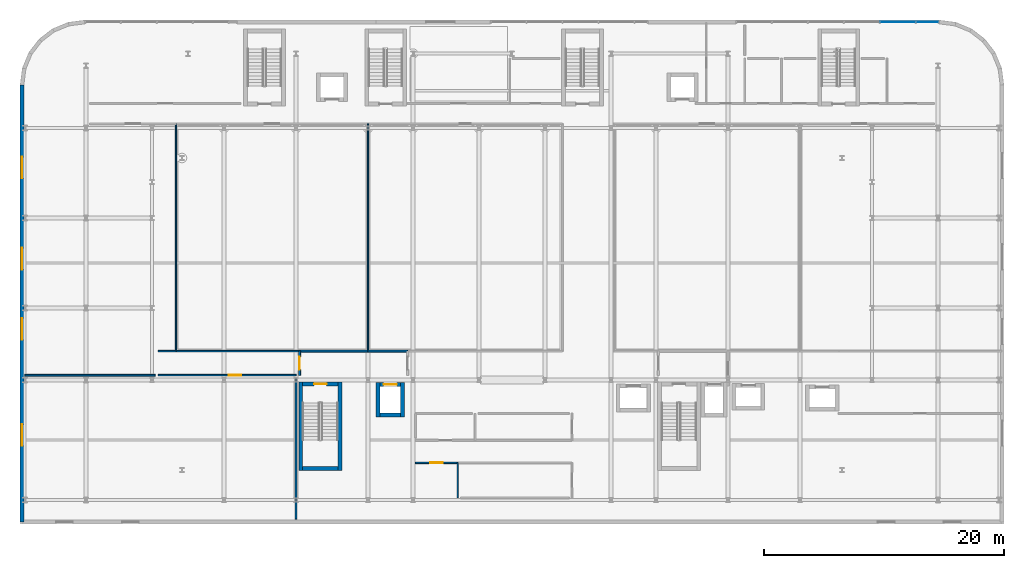
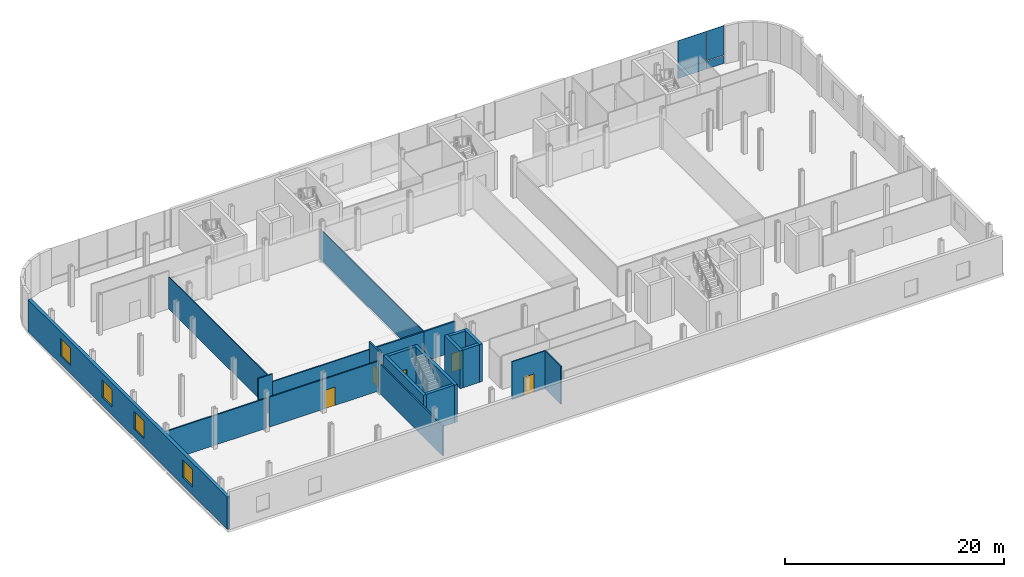
# One storey, part 16 of 25: 21 walls, 5 doors, 4 plates, 4 windows, 9 openings, 1 element without a shape of its own.
"""IFC4 building model written with IfcOpenShell, lengths in metres."""

from ifc_helpers import new_model, si_unit, direction, frame, frame_2d, origin, origin_2d, place, context, subcontext, project, spatial, rectangle, extrude, material, layer, layer_set, type_object, element, fill, aggregate, save


model = new_model("IFC4")

# Units and contexts
model_context = context("Model", 3, precision=1e-05, world=origin(), true_north=direction((0.0, 1.0)))
body_context = subcontext(model_context, "Body", "Model", "MODEL_VIEW")
ifc_project = project(units=[si_unit("LENGTHUNIT", "METRE"), si_unit("AREAUNIT", "SQUARE_METRE"), si_unit("VOLUMEUNIT", "CUBIC_METRE"), si_unit("PLANEANGLEUNIT", "RADIAN"), si_unit("MASSUNIT", "GRAM", prefix="KILO")], contexts=[model_context])

# Site, building, storey
site_placement = place(None, origin())
site = spatial("IfcSite", under=ifc_project, at=site_placement, CompositionType="ELEMENT")
building_placement = place(site_placement, origin())
building = spatial("IfcBuilding", under=site, at=building_placement, Name="Brevholm Reach", CompositionType="ELEMENT")
storey_placement = place(building_placement, frame((0.0, 0.0, 13.5)))
storey = spatial("IfcBuildingStorey", under=building, at=storey_placement, Name="L03", CompositionType="ELEMENT", Elevation=13.5)

# Curtain wall, plates
ifc_material_1 = material(Name="Dark Anodised Aluminium 6063-T6 and Solar-Control Glass", Category="aluminium")
ifc_layer_1 = layer(ifc_material_1, 0.1650390625)
ifc_layer_set_1 = layer_set([ifc_layer_1], Name="Dark Anodised Aluminium 6063-T6 and Solar-Control Glass")
curtain_wall_type = type_object("IfcCurtainWallType", Name="CW-03", PredefinedType="NOTDEFINED", material=ifc_layer_set_1)
curtain_wall_placement = place(storey_placement, origin())
curtain_wall = element("IfcCurtainWall", 1, at=curtain_wall_placement, inside=storey, type_object=curtain_wall_type, Name="L03 Curtain Wall CW-03", PredefinedType="NOTDEFINED")
ifc_material_2 = material(Name="Triple-Glazed Acoustic School IGU Glass", Category="glass")
ifc_layer_2 = layer(ifc_material_2, 0.0439453125)
ifc_layer_set_2 = layer_set([ifc_layer_2], Name="Triple-Glazed Acoustic School IGU Glass")
plate_type = type_object("IfcPlateType", Name="CWP-ACU-44", PredefinedType="CURTAIN_PANEL", material=ifc_layer_set_2)
plate_1_placement = place(storey_placement, frame((62.14990234375, 39.830078125, 0.0), z_axis=(0.0, 0.0, 1.0), x_axis=(1.0, 0.0, 0.0)))
plate_1 = element("IfcPlate", 2, at=plate_1_placement, type_object=plate_type, Name="CP-03 Glazing Panel 5.1", PredefinedType="CURTAIN_PANEL", context=body_context, shape_type="SweptSolid", body=[
    extrude(rectangle(XDim=2.929931640625, YDim=0.0439453125, at=origin_2d()), origin(), (0.0, 0.0, 1.0), 0.864990234375),
])
plate_2_placement = place(storey_placement, frame((62.14990234375, 39.830078125, 0.93505859375), z_axis=(0.0, 0.0, 1.0), x_axis=(1.0, 0.0, 0.0)))
plate_2 = element("IfcPlate", 3, at=plate_2_placement, type_object=plate_type, Name="CP-03 Glazing Panel 5.2", PredefinedType="CURTAIN_PANEL", context=body_context, shape_type="SweptSolid", body=[
    extrude(rectangle(XDim=2.929931640625, YDim=0.0439453125, at=origin_2d()), origin(), (0.0, 0.0, 1.0), 3.284912109375),
])
plate_3_placement = place(storey_placement, frame((64.607421875, 39.830078125, 0.0), z_axis=(0.0, 0.0, 1.0), x_axis=(1.0, 0.0, 0.0)))
plate_3 = element("IfcPlate", 4, at=plate_3_placement, type_object=plate_type, Name="CP-03 Glazing Panel 6.1", PredefinedType="CURTAIN_PANEL", context=body_context, shape_type="SweptSolid", body=[
    extrude(rectangle(XDim=1.844970703125, YDim=0.0439453125, at=origin_2d()), origin(), (0.0, 0.0, 1.0), 0.864990234375),
])
plate_4_placement = place(storey_placement, frame((64.607421875, 39.830078125, 0.93505859375), z_axis=(0.0, 0.0, 1.0), x_axis=(1.0, 0.0, 0.0)))
plate_4 = element("IfcPlate", 5, at=plate_4_placement, type_object=plate_type, Name="CP-03 Glazing Panel 6.2", PredefinedType="CURTAIN_PANEL", context=body_context, shape_type="SweptSolid", body=[
    extrude(rectangle(XDim=1.844970703125, YDim=0.0439453125, at=origin_2d()), origin(), (0.0, 0.0, 1.0), 3.284912109375),
])
aggregate(curtain_wall, [plate_1, plate_2, plate_3, plate_4])

# Walls
ifc_material_3 = material(Name="Concrete C60/75", Category="concrete")
ifc_layer_3 = layer(ifc_material_3, 0.320068359375)
ifc_layer_set_3 = layer_set([ifc_layer_3], Name="Concrete C60/75")
wall_type_1 = type_object("IfcWallType", Name="WAL-COR-320", PredefinedType="SHEAR", material=ifc_layer_set_3)
for number, where, z_axis, x_axis, name in (
    (6, (12.389892578125, 2.4599609375, 0.0), (0.0, 0.0, 1.0), (0.0, 1.0, 0.0), "L03 Escape Stair ST-1 Core Wall W"),
    (7, (15.659912109375, 2.4599609375, 0.0), (0.0, 0.0, 1.0), (0.0, 1.0, 0.0), "L03 Escape Stair ST-1 Core Wall E"),
):
    element("IfcWall", number, at=place(storey_placement, frame(where, z_axis=z_axis, x_axis=x_axis)), inside=storey, type_object=wall_type_1, Name=name, PredefinedType="SHEAR", context=body_context, shape_type="SweptSolid", body=[
        extrude(rectangle(XDim=7.360107421875, YDim=0.320068359375, at=frame_2d((3.68017578125, 0.0))), origin(), (0.0, 0.0, 1.0), 4.219970703125),
    ])
wall_1_placement = place(storey_placement, frame((12.550048828125, 2.6201171875, 0.0), z_axis=(0.0, 0.0, 1.0), x_axis=(1.0, 0.0, 0.0)))
element("IfcWall", 8, at=wall_1_placement, inside=storey, type_object=wall_type_1, Name="L03 Escape Stair ST-1 Core Wall S", PredefinedType="SHEAR", context=body_context, shape_type="SweptSolid", body=[
    extrude(rectangle(XDim=2.949951171875, YDim=0.320068359375, at=frame_2d((1.47509765625, 0.0))), origin(), (0.0, 0.0, 1.0), 4.219970703125),
])

# Wall, opening, door
wall_2_placement = place(storey_placement, frame((15.5, 9.659912109375, 0.0), z_axis=(0.0, 0.0, 1.0), x_axis=(-1.0, 0.0, 0.0)))
wall_2 = element("IfcWall", 9, at=wall_2_placement, inside=storey, type_object=wall_type_1, Name="L03 Escape Stair ST-1 Core Wall N", PredefinedType="SHEAR", context=body_context, shape_type="SweptSolid", body=[
    extrude(rectangle(XDim=2.949951171875, YDim=0.320068359375, at=frame_2d((1.47509765625, 0.0))), origin(), (0.0, 0.0, 1.0), 4.219970703125),
])
opening_1_placement = place(wall_2_placement, frame((0.949951171875, 0.0, 0.0)))
opening_1 = element("IfcOpeningElement", 10, at=opening_1_placement, cuts=wall_2, Name="Opening SD-ST-1", PredefinedType="OPENING", context=body_context, shape_type="SweptSolid", body=[
    extrude(rectangle(XDim=1.050048828125, YDim=2.06005859375, at=frame_2d((0.52490234375, 1.030029296875))), frame((0.0, 0.169921875, 0.0), z_axis=(0.0, -1.0, 0.0), x_axis=(1.0, 0.0, 0.0)), (0.0, 0.0, 1.0), 0.340087890625),
])
ifc_material_4 = material(Name="Hardwood-Lipped Steel-Core Fire and Smoke Door", Category="steel")
door_type_1 = type_object("IfcDoorType", Name="DOR-INT-FD60S", OperationType="NOTDEFINED", PredefinedType="DOOR", material=ifc_material_4)
door_1_placement = place(opening_1_placement, origin())
door_1 = element("IfcDoor", 11, at=door_1_placement, inside=storey, type_object=door_type_1, Name="L03 Protected Stair ST-1 Lobby Door", OperationType="SINGLE_SWING_LEFT", OverallHeight=2.06005859375, OverallWidth=1.050048828125, PredefinedType="DOOR", context=body_context, shape_type="SweptSolid", body=[
    extrude(rectangle(XDim=1.050048828125, YDim=2.06005859375, at=frame_2d((0.52490234375, 1.030029296875))), frame((0.0, 0.02490234375, 0.0), z_axis=(0.0, -1.0, 0.0), x_axis=(1.0, 0.0, 0.0)), (0.0, 0.0, 1.0), 0.050048828125),
])
fill(opening_1, door_1)

# Walls
for number, where, z_axis, x_axis, name in (
    (12, (18.830078125, 6.919921875, 0.0), (0.0, 0.0, 1.0), (0.0, 1.0, 0.0), "L03 Lift FFL-1 Shaft Wall W"),
    (13, (20.8701171875, 6.919921875, 0.0), (0.0, 0.0, 1.0), (0.0, 1.0, 0.0), "L03 Lift FFL-1 Shaft Wall E"),
):
    element("IfcWall", number, at=place(storey_placement, frame(where, z_axis=z_axis, x_axis=x_axis)), inside=storey, type_object=wall_type_1, Name=name, PredefinedType="SHEAR", context=body_context, shape_type="SweptSolid", body=[
        extrude(rectangle(XDim=2.860107421875, YDim=0.320068359375, at=frame_2d((1.43017578125, 0.0))), origin(), (0.0, 0.0, 1.0), 4.219970703125),
    ])
wall_3_placement = place(storey_placement, frame((18.989990234375, 7.080078125, 0.0), z_axis=(0.0, 0.0, 1.0), x_axis=(1.0, 0.0, 0.0)))
element("IfcWall", 14, at=wall_3_placement, inside=storey, type_object=wall_type_1, Name="L03 Lift FFL-1 Shaft Wall S", PredefinedType="SHEAR", context=body_context, shape_type="SweptSolid", body=[
    extrude(rectangle(XDim=1.719970703125, YDim=0.320068359375, at=frame_2d((0.85986328125, 0.0))), origin(), (0.0, 0.0, 1.0), 4.219970703125),
])

# Wall, opening, door
wall_4_placement = place(storey_placement, frame((18.989990234375, 9.6201171875, 0.0), z_axis=(0.0, 0.0, 1.0), x_axis=(1.0, 0.0, 0.0)))
wall_4 = element("IfcWall", 15, at=wall_4_placement, inside=storey, type_object=wall_type_1, Name="L03 Lift FFL-1 Shaft Wall N", PredefinedType="SHEAR", context=body_context, shape_type="SweptSolid", body=[
    extrude(rectangle(XDim=1.719970703125, YDim=0.320068359375, at=frame_2d((0.85986328125, 0.0))), origin(), (0.0, 0.0, 1.0), 4.219970703125),
])
opening_2_placement = place(wall_4_placement, frame((0.31005859375, 0.0, 0.0)))
opening_2 = element("IfcOpeningElement", 16, at=opening_2_placement, cuts=wall_4, Name="Opening LD-FFL-1", PredefinedType="OPENING", context=body_context, shape_type="SweptSolid", body=[
    extrude(rectangle(XDim=1.10009765625, YDim=2.06005859375, at=frame_2d((0.550048828125, 1.030029296875))), frame((0.0, 0.169921875, 0.0), z_axis=(0.0, -1.0, 0.0), x_axis=(1.0, 0.0, 0.0)), (0.0, 0.0, 1.0), 0.340087890625),
])
ifc_material_5 = material(Name="Brushed Stainless Steel Fire-Rated Sliding Lift Door", Category="steel")
door_type_2 = type_object("IfcDoorType", Name="DOR-LFT-1100", OperationType="NOTDEFINED", PredefinedType="DOOR", material=ifc_material_5)
door_2_placement = place(opening_2_placement, origin())
door_2 = element("IfcDoor", 17, at=door_2_placement, inside=storey, type_object=door_type_2, Name="L03 Lift FFL-1 Sliding Landing Door", OperationType="SLIDING_TO_LEFT", OverallHeight=2.06005859375, OverallWidth=1.10009765625, PredefinedType="DOOR", context=body_context, shape_type="SweptSolid", body=[
    extrude(rectangle(XDim=1.10009765625, YDim=2.06005859375, at=frame_2d((0.550048828125, 1.030029296875))), frame((0.0, 0.02490234375, 0.0), z_axis=(0.0, -1.0, 0.0), x_axis=(1.0, 0.0, 0.0)), (0.0, 0.0, 1.0), 0.050048828125),
])
fill(opening_2, door_2)

# Wall, openings, windows
ifc_material_6 = material(Name="Concrete C40/50", Category="concrete")
ifc_layer_4 = layer(ifc_material_6, 0.340087890625)
ifc_layer_set_4 = layer_set([ifc_layer_4], Name="Concrete C40/50")
wall_type_2 = type_object("IfcWallType", Name="WAL-EXT-340", PredefinedType="STANDARD", material=ifc_layer_set_4)
wall_5_placement = place(storey_placement, frame((-10.830078125, 34.60009765625, 0.0), z_axis=(0.0, 0.0, 1.0), x_axis=(0.0, -1.0, 0.0)))
wall_5 = element("IfcWall", 18, at=wall_5_placement, inside=storey, type_object=wall_type_2, Name="L03 Facade Wall WAL-L03-W", PredefinedType="STANDARD", context=body_context, shape_type="SweptSolid", body=[
    extrude(rectangle(XDim=36.43017578125, YDim=0.340087890625, at=frame_2d((18.215087890625, 0.0))), origin(), (0.0, 0.0, 1.0), 3.582763671875),
])
opening_3_placement = place(wall_5_placement, frame((28.300048828125, 0.0, 0.89990234375)))
opening_3 = element("IfcOpeningElement", 19, at=opening_3_placement, cuts=wall_5, Name="Opening WN-01", PredefinedType="OPENING", context=body_context, shape_type="SweptSolid", body=[
    extrude(rectangle(XDim=1.800048828125, YDim=1.949951171875, at=frame_2d((0.89990234375, 0.97509765625))), frame((0.0, 0.179931640625, 0.0), z_axis=(0.0, -1.0, 0.0), x_axis=(1.0, 0.0, 0.0)), (0.0, 0.0, 1.0), 0.360107421875),
])
opening_4_placement = place(wall_5_placement, frame((19.449951171875, 0.0, 0.89990234375)))
opening_4 = element("IfcOpeningElement", 20, at=opening_4_placement, cuts=wall_5, Name="Opening WN-01", PredefinedType="OPENING", context=body_context, shape_type="SweptSolid", body=[
    extrude(rectangle(XDim=1.800048828125, YDim=1.949951171875, at=frame_2d((0.89990234375, 0.97509765625))), frame((0.0, 0.179931640625, 0.0), z_axis=(0.0, -1.0, 0.0), x_axis=(1.0, 0.0, 0.0)), (0.0, 0.0, 1.0), 0.360107421875),
])
opening_5_placement = place(wall_5_placement, frame((13.60009765625, 0.0, 0.89990234375)))
opening_5 = element("IfcOpeningElement", 21, at=opening_5_placement, cuts=wall_5, Name="Opening WN-01", PredefinedType="OPENING", context=body_context, shape_type="SweptSolid", body=[
    extrude(rectangle(XDim=1.800048828125, YDim=1.949951171875, at=frame_2d((0.89990234375, 0.97509765625))), frame((0.0, 0.179931640625, 0.0), z_axis=(0.0, -1.0, 0.0), x_axis=(1.0, 0.0, 0.0)), (0.0, 0.0, 1.0), 0.360107421875),
])
opening_6_placement = place(wall_5_placement, frame((6.0, 0.0, 0.89990234375)))
opening_6 = element("IfcOpeningElement", 22, at=opening_6_placement, cuts=wall_5, Name="Opening WN-01", PredefinedType="OPENING", context=body_context, shape_type="SweptSolid", body=[
    extrude(rectangle(XDim=1.800048828125, YDim=1.949951171875, at=frame_2d((0.89990234375, 0.97509765625))), frame((0.0, 0.179931640625, 0.0), z_axis=(0.0, -1.0, 0.0), x_axis=(1.0, 0.0, 0.0)), (0.0, 0.0, 1.0), 0.360107421875),
])
ifc_material_7 = material(Name="Dark Anodised Aluminium and Solar-Control IGU Glass", Category="aluminium")
window_type = type_object("IfcWindowType", Name="WIN-SCH-1800", PartitioningType="SINGLE_PANEL", PredefinedType="WINDOW", material=ifc_material_7)
window_1_placement = place(opening_3_placement, origin())
window_1 = element("IfcWindow", 23, at=window_1_placement, inside=storey, type_object=window_type, Name="L03 Window WIN-L03-W-1", OverallHeight=1.949951171875, OverallWidth=1.800048828125, PartitioningType="SINGLE_PANEL", PredefinedType="WINDOW", context=body_context, shape_type="SweptSolid", body=[
    extrude(rectangle(XDim=1.800048828125, YDim=1.949951171875, at=frame_2d((0.89990234375, 0.97509765625))), frame((0.0, 0.030029296875, 0.0), z_axis=(0.0, -1.0, 0.0), x_axis=(1.0, 0.0, 0.0)), (0.0, 0.0, 1.0), 0.06005859375),
])
fill(opening_3, window_1)
window_2_placement = place(opening_4_placement, origin())
window_2 = element("IfcWindow", 24, at=window_2_placement, inside=storey, type_object=window_type, Name="L03 Window WIN-L03-W-2", OverallHeight=1.949951171875, OverallWidth=1.800048828125, PartitioningType="SINGLE_PANEL", PredefinedType="WINDOW", context=body_context, shape_type="SweptSolid", body=[
    extrude(rectangle(XDim=1.800048828125, YDim=1.949951171875, at=frame_2d((0.89990234375, 0.97509765625))), frame((0.0, 0.030029296875, 0.0), z_axis=(0.0, -1.0, 0.0), x_axis=(1.0, 0.0, 0.0)), (0.0, 0.0, 1.0), 0.06005859375),
])
fill(opening_4, window_2)
window_3_placement = place(opening_5_placement, origin())
window_3 = element("IfcWindow", 25, at=window_3_placement, inside=storey, type_object=window_type, Name="L03 Window WIN-L03-W-3", OverallHeight=1.949951171875, OverallWidth=1.800048828125, PartitioningType="SINGLE_PANEL", PredefinedType="WINDOW", context=body_context, shape_type="SweptSolid", body=[
    extrude(rectangle(XDim=1.800048828125, YDim=1.949951171875, at=frame_2d((0.89990234375, 0.97509765625))), frame((0.0, 0.030029296875, 0.0), z_axis=(0.0, -1.0, 0.0), x_axis=(1.0, 0.0, 0.0)), (0.0, 0.0, 1.0), 0.06005859375),
])
fill(opening_5, window_3)
window_4_placement = place(opening_6_placement, origin())
window_4 = element("IfcWindow", 26, at=window_4_placement, inside=storey, type_object=window_type, Name="L03 Window WIN-L03-W-4", OverallHeight=1.949951171875, OverallWidth=1.800048828125, PartitioningType="SINGLE_PANEL", PredefinedType="WINDOW", context=body_context, shape_type="SweptSolid", body=[
    extrude(rectangle(XDim=1.800048828125, YDim=1.949951171875, at=frame_2d((0.89990234375, 0.97509765625))), frame((0.0, 0.030029296875, 0.0), z_axis=(0.0, -1.0, 0.0), x_axis=(1.0, 0.0, 0.0)), (0.0, 0.0, 1.0), 0.06005859375),
])
fill(opening_6, window_4)

# Walls
ifc_material_8 = material(Name="Moisture-Resistant Acoustic Gypsum Stud Partition 100 mm", Category="gypsum")
ifc_layer_5 = layer(ifc_material_8, 0.10009765625)
ifc_layer_set_5 = layer_set([ifc_layer_5], Name="Moisture-Resistant Acoustic Gypsum Stud Partition 100 mm")
wall_type_3 = type_object("IfcWallType", Name="WAL-PRT-100", PredefinedType="PARTITIONING", material=ifc_layer_set_5)
wall_6_placement = place(storey_placement, frame((2.0, 12.404052734375, 0.0), z_axis=(0.0, 0.0, 1.0), x_axis=(0.0, 1.0, 0.0)))
element("IfcWall", 27, at=wall_6_placement, inside=storey, type_object=wall_type_3, Name="L03 Internal Partition 044", PredefinedType="PARTITIONING", context=body_context, shape_type="SweptSolid", body=[
    extrude(rectangle(XDim=18.94189453125, YDim=0.10009765625, at=frame_2d((9.470947265625, 0.0))), origin(), (0.0, 0.0, 1.0), 3.582763671875),
])
wall_7_placement = place(storey_placement, frame((18.0, 12.404052734375, 0.0), z_axis=(0.0, 0.0, 1.0), x_axis=(0.0, 1.0, 0.0)))
element("IfcWall", 28, at=wall_7_placement, inside=storey, type_object=wall_type_3, Name="L03 Internal Partition 045", PredefinedType="PARTITIONING", context=body_context, shape_type="SweptSolid", body=[
    extrude(rectangle(XDim=18.94189453125, YDim=0.10009765625, at=frame_2d((9.470947265625, 0.0))), origin(), (0.0, 0.0, 1.0), 3.343994140625),
])

# Wall, opening, door
ifc_material_9 = material(Name="Acoustic Fire-Rated Classroom Gypsum Partition 120 mm", Category="gypsum")
ifc_layer_6 = layer(ifc_material_9, 0.1201171875)
ifc_layer_set_6 = layer_set([ifc_layer_6], Name="Acoustic Fire-Rated Classroom Gypsum Partition 120 mm")
wall_type_4 = type_object("IfcWallType", Name="WAL-PRT-120", PredefinedType="PARTITIONING", material=ifc_layer_set_6)
wall_8_placement = place(storey_placement, frame((21.949951171875, 3.10009765625, 0.0), z_axis=(0.0, 0.0, 1.0), x_axis=(1.0, 0.0, 0.0)))
wall_8 = element("IfcWall", 29, at=wall_8_placement, inside=storey, type_object=wall_type_4, Name="L03 Internal Partition 003", PredefinedType="PARTITIONING", context=body_context, shape_type="SweptSolid", body=[
    extrude(rectangle(XDim=3.541259765625, YDim=0.1201171875, at=frame_2d((1.7705078125, 0.0))), origin(), (0.0, 0.0, 1.0), 4.219970703125),
])
opening_7_placement = place(wall_8_placement, frame((1.24560546875, 0.0, 0.0)))
opening_7 = element("IfcOpeningElement", 30, at=opening_7_placement, cuts=wall_8, Name="Opening FD-01", PredefinedType="OPENING", context=body_context, shape_type="SweptSolid", body=[
    extrude(rectangle(XDim=1.050048828125, YDim=2.06005859375, at=frame_2d((0.52490234375, 1.030029296875))), frame((0.0, 0.070068359375, 0.0), z_axis=(0.0, -1.0, 0.0), x_axis=(1.0, 0.0, 0.0)), (0.0, 0.0, 1.0), 0.14013671875),
])
door_3_placement = place(opening_7_placement, origin())
door_3 = element("IfcDoor", 31, at=door_3_placement, inside=storey, type_object=door_type_1, Name="L03 Internal Door 003", OperationType="SINGLE_SWING_LEFT", OverallHeight=2.06005859375, OverallWidth=1.050048828125, PredefinedType="DOOR", context=body_context, shape_type="SweptSolid", body=[
    extrude(rectangle(XDim=1.050048828125, YDim=2.06005859375, at=frame_2d((0.52490234375, 1.030029296875))), frame((0.0, 0.02490234375, 0.0), z_axis=(0.0, -1.0, 0.0), x_axis=(1.0, 0.0, 0.0)), (0.0, 0.0, 1.0), 0.050048828125),
])
fill(opening_7, door_3)

# Walls
wall_9_placement = place(storey_placement, frame((25.47998046875, 0.179931640625, 0.0), z_axis=(0.0, 0.0, 1.0), x_axis=(0.0, 1.0, 0.0)))
element("IfcWall", 32, at=wall_9_placement, inside=storey, type_object=wall_type_4, Name="L03 Internal Partition 007", PredefinedType="PARTITIONING", context=body_context, shape_type="SweptSolid", body=[
    extrude(rectangle(XDim=2.916015625, YDim=0.1201171875, at=frame_2d((1.4580078125, 0.0))), origin(), (0.0, 0.0, 1.0), 4.219970703125),
])
wall_10_placement = place(storey_placement, frame((0.5, 12.39990234375, 0.0), z_axis=(0.0, 0.0, 1.0), x_axis=(1.0, 0.0, 0.0)))
element("IfcWall", 33, at=wall_10_placement, inside=storey, type_object=wall_type_4, Name="L03 Internal Partition 030", PredefinedType="PARTITIONING", context=body_context, shape_type="SweptSolid", body=[
    extrude(rectangle(XDim=1.51123046875, YDim=0.1201171875, at=frame_2d((0.755615234375, 0.0))), origin(), (0.0, 0.0, 1.0), 4.219970703125),
])
wall_11_placement = place(storey_placement, frame((1.99267578125, 12.39990234375, 0.0), z_axis=(0.0, 0.0, 1.0), x_axis=(1.0, 0.0, 0.0)))
element("IfcWall", 34, at=wall_11_placement, inside=storey, type_object=wall_type_4, Name="L03 Internal Partition 031", PredefinedType="PARTITIONING", context=body_context, shape_type="SweptSolid", body=[
    extrude(rectangle(XDim=10.30322265625, YDim=0.1201171875, at=frame_2d((5.151611328125, 0.0))), origin(), (0.0, 0.0, 1.0), 3.343994140625),
])

# Wall, opening, door
wall_12_placement = place(storey_placement, frame((0.5, 10.39990234375, 0.0), z_axis=(0.0, 0.0, 1.0), x_axis=(1.0, 0.0, 0.0)))
wall_12 = element("IfcWall", 35, at=wall_12_placement, inside=storey, type_object=wall_type_4, Name="L03 Internal Partition 032", PredefinedType="PARTITIONING", context=body_context, shape_type="SweptSolid", body=[
    extrude(rectangle(XDim=11.51123046875, YDim=0.1201171875, at=frame_2d((5.755615234375, 0.0))), origin(), (0.0, 0.0, 1.0), 3.343994140625),
])
opening_8_placement = place(wall_12_placement, frame((5.890625, 0.0, 0.0)))
opening_8 = element("IfcOpeningElement", 36, at=opening_8_placement, cuts=wall_12, Name="Opening FD-01", PredefinedType="OPENING", context=body_context, shape_type="SweptSolid", body=[
    extrude(rectangle(XDim=1.050048828125, YDim=2.06005859375, at=frame_2d((0.52490234375, 1.030029296875))), frame((0.0, 0.070068359375, 0.0), z_axis=(0.0, -1.0, 0.0), x_axis=(1.0, 0.0, 0.0)), (0.0, 0.0, 1.0), 0.14013671875),
])
door_4_placement = place(opening_8_placement, origin())
door_4 = element("IfcDoor", 37, at=door_4_placement, inside=storey, type_object=door_type_1, Name="L03 Internal Door 022", OperationType="SINGLE_SWING_RIGHT", OverallHeight=2.06005859375, OverallWidth=1.050048828125, PredefinedType="DOOR", context=body_context, shape_type="SweptSolid", body=[
    extrude(rectangle(XDim=1.050048828125, YDim=2.06005859375, at=frame_2d((0.52490234375, 1.030029296875))), frame((0.0, 0.02490234375, 0.0), z_axis=(0.0, -1.0, 0.0), x_axis=(1.0, 0.0, 0.0)), (0.0, 0.0, 1.0), 0.050048828125),
])
fill(opening_8, door_4)

# Walls
ifc_material_10 = material(Name="Twin-Stud Acoustic Fire-Rated Gypsum Partition 140 mm", Category="gypsum")
ifc_layer_7 = layer(ifc_material_10, 0.139892578125)
ifc_layer_set_7 = layer_set([ifc_layer_7], Name="Twin-Stud Acoustic Fire-Rated Gypsum Partition 140 mm")
wall_type_5 = type_object("IfcWallType", Name="WAL-PRT-140", PredefinedType="PARTITIONING", material=ifc_layer_set_7)
wall_13_placement = place(storey_placement, frame((12.0, -1.590087890625, 0.0), z_axis=(0.0, 0.0, 1.0), x_axis=(0.0, 1.0, 0.0)))
element("IfcWall", 38, at=wall_13_placement, inside=storey, type_object=wall_type_5, Name="L03 Internal Partition 058", PredefinedType="PARTITIONING", context=body_context, shape_type="SweptSolid", body=[
    extrude(rectangle(XDim=11.75, YDim=0.139892578125, at=frame_2d((5.875, 0.0))), origin(), (0.0, 0.0, 1.0), 3.343994140625),
])
wall_14_placement = place(storey_placement, frame((-10.590087890625, 10.39990234375, 0.0), z_axis=(0.0, 0.0, 1.0), x_axis=(1.0, 0.0, 0.0)))
element("IfcWall", 39, at=wall_14_placement, inside=storey, type_object=wall_type_5, Name="L03 Internal Partition 059", PredefinedType="PARTITIONING", context=body_context, shape_type="SweptSolid", body=[
    extrude(rectangle(XDim=10.85009765625, YDim=0.139892578125, at=frame_2d((5.425048828125, 0.0))), origin(), (0.0, 0.0, 1.0), 3.343994140625),
])

# Wall, opening, door
ifc_material_11 = material(Name="Twin-Frame Fire-Rated Gypsum Board and Mineral Wool 160 mm", Category="gypsum")
ifc_layer_8 = layer(ifc_material_11, 0.159912109375)
ifc_layer_set_8 = layer_set([ifc_layer_8], Name="Twin-Frame Fire-Rated Gypsum Board and Mineral Wool 160 mm")
wall_type_6 = type_object("IfcWallType", Name="WAL-PRT-160", PredefinedType="PARTITIONING", material=ifc_layer_set_8)
wall_15_placement = place(storey_placement, frame((12.300048828125, 10.388671875, 0.0), z_axis=(0.0, 0.0, 1.0), x_axis=(0.0, 1.0, 0.0)))
wall_15 = element("IfcWall", 40, at=wall_15_placement, inside=storey, type_object=wall_type_6, Name="L03 Internal Partition 009", PredefinedType="PARTITIONING", context=body_context, shape_type="SweptSolid", body=[
    extrude(rectangle(XDim=2.01123046875, YDim=0.159912109375, at=frame_2d((1.005615234375, 0.0))), origin(), (0.0, 0.0, 1.0), 4.219970703125),
])
opening_9_placement = place(wall_15_placement, frame((0.480712890625, 0.0, 0.0)))
opening_9 = element("IfcOpeningElement", 41, at=opening_9_placement, cuts=wall_15, Name="Opening FD-01", PredefinedType="OPENING", context=body_context, shape_type="SweptSolid", body=[
    extrude(rectangle(XDim=1.050048828125, YDim=2.06005859375, at=frame_2d((0.52490234375, 1.030029296875))), frame((0.0, 0.08984375, 0.0), z_axis=(0.0, -1.0, 0.0), x_axis=(1.0, 0.0, 0.0)), (0.0, 0.0, 1.0), 0.179931640625),
])
door_5_placement = place(opening_9_placement, origin())
door_5 = element("IfcDoor", 42, at=door_5_placement, inside=storey, type_object=door_type_1, Name="L03 Internal Door 005", OperationType="SINGLE_SWING_LEFT", OverallHeight=2.06005859375, OverallWidth=1.050048828125, PredefinedType="DOOR", context=body_context, shape_type="SweptSolid", body=[
    extrude(rectangle(XDim=1.050048828125, YDim=2.06005859375, at=frame_2d((0.52490234375, 1.030029296875))), frame((0.0, 0.02490234375, 0.0), z_axis=(0.0, -1.0, 0.0), x_axis=(1.0, 0.0, 0.0)), (0.0, 0.0, 1.0), 0.050048828125),
])
fill(opening_9, door_5)

# Walls
wall_16_placement = place(storey_placement, frame((12.300048828125, 12.39990234375, 0.0), z_axis=(0.0, 0.0, 1.0), x_axis=(1.0, 0.0, 0.0)))
element("IfcWall", 43, at=wall_16_placement, inside=storey, type_object=wall_type_6, Name="L03 Internal Partition 011", PredefinedType="PARTITIONING", context=body_context, shape_type="SweptSolid", body=[
    extrude(rectangle(XDim=5.711181640625, YDim=0.159912109375, at=frame_2d((2.85546875, 0.0))), origin(), (0.0, 0.0, 1.0), 3.343994140625),
])
wall_17_placement = place(storey_placement, frame((17.99267578125, 12.39990234375, 0.0), z_axis=(0.0, 0.0, 1.0), x_axis=(1.0, 0.0, 0.0)))
element("IfcWall", 44, at=wall_17_placement, inside=storey, type_object=wall_type_6, Name="L03 Internal Partition 012", PredefinedType="PARTITIONING", context=body_context, shape_type="SweptSolid", body=[
    extrude(rectangle(XDim=3.307373046875, YDim=0.159912109375, at=frame_2d((1.65380859375, 0.0))), origin(), (0.0, 0.0, 1.0), 3.343994140625),
])

save(model, "model.ifc")
